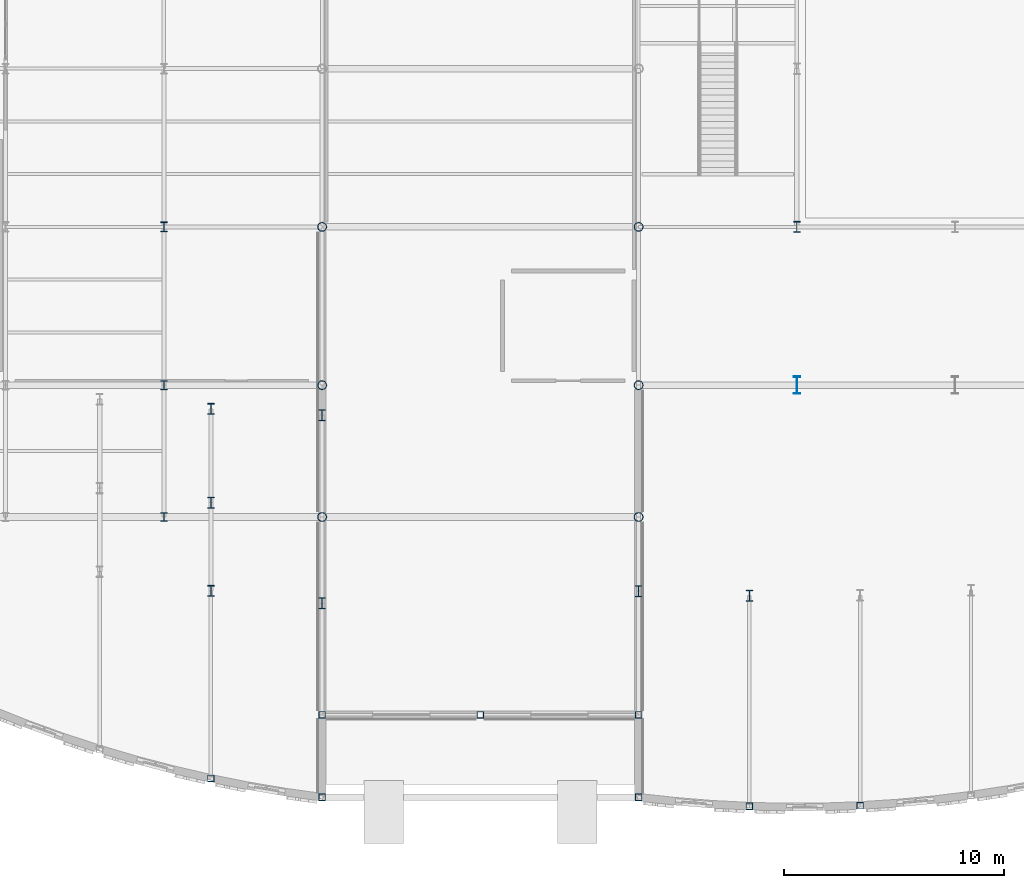
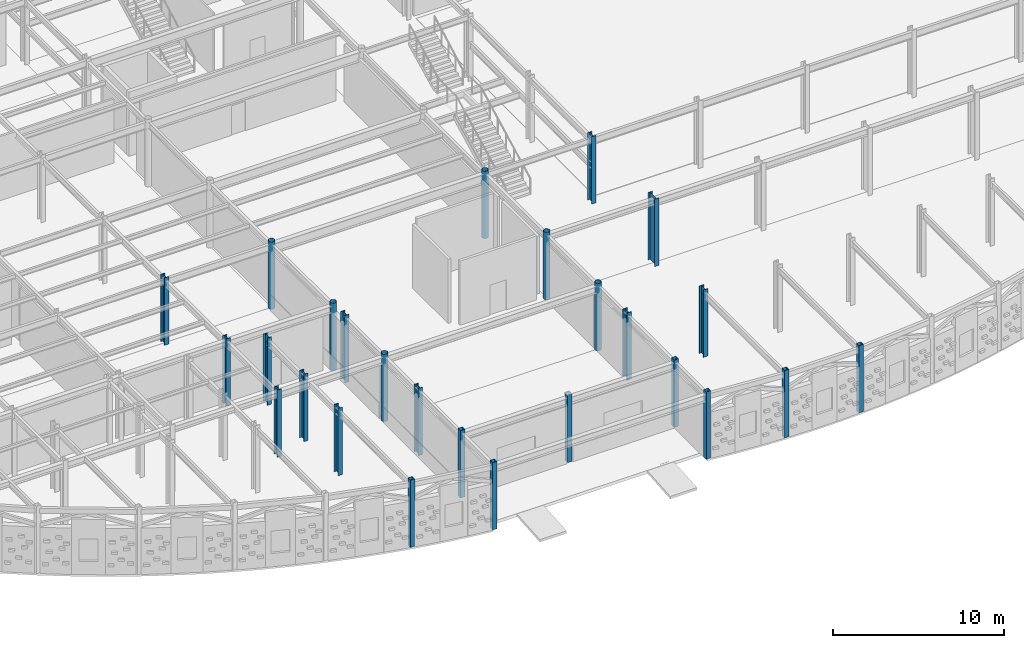
# One storey, part 4 of 83: 26 columns.
"""IFC4 building model written with IfcOpenShell, lengths in metres."""

import ifcopenshell
import ifcopenshell.guid

model = None  # the IFC model being written
_history = None  # IfcOwnerHistory: only IFC2X3 demands one
_inside = {}  # id of a spatial element -> (the spatial element, [elements in it])
_under = {}  # id of a project, library or spatial element -> (it, [spatial elements below it])
_declared = {}  # id of a project -> (the project, [libraries it declares])
_typed = {}  # id of a type object -> (the type object, [elements of that type])
_made_of = {}  # id of a material, layer set ... -> (it, [elements and type objects made of it])


def new_model(schema):
    """Start an empty IFC model of exactly this schema.

    Asked for "IFC4X3", IfcOpenShell would pick the latest addendum, in which some entities
    have other attributes; the version numbers below select the first issue.
    IFC2X3 requires an IfcOwnerHistory on every rooted entity: one is made here for all.
    """
    global model, _history
    if schema == "IFC4X3":
        model = ifcopenshell.file(schema_version=(4, 3, 0, 0))
    else:
        model = ifcopenshell.file(schema=schema)
    _inside.clear()
    _under.clear()
    _declared.clear()
    _typed.clear()
    _made_of.clear()
    _history = None
    if model.schema == "IFC2X3":
        org = make("IfcOrganization", Name="unknown")
        user = make(
            "IfcPersonAndOrganization",
            ThePerson=make("IfcPerson", FamilyName="unknown"),
            TheOrganization=org,
        )
        app = make(
            "IfcApplication",
            ApplicationDeveloper=org,
            Version="unknown",
            ApplicationFullName="unknown",
            ApplicationIdentifier="unknown",
        )
        _history = make(
            "IfcOwnerHistory",
            OwningUser=user,
            OwningApplication=app,
            ChangeAction="ADDED",
            CreationDate=0,
        )
    return model


def make(cls, **values):
    """One entity of the class cls with the attributes given. An attribute that is None is left unset."""
    return model.create_entity(
        cls, **{name: value for name, value in values.items() if value is not None}
    )


def rooted(cls, **values):
    """An entity with a GlobalId (a new one), such as an element, a storey or a relation."""
    return make(cls, GlobalId=ifcopenshell.guid.new(), OwnerHistory=_history, **values)


def si_unit(unit_type, name, prefix=None):
    """IfcSIUnit, for example si_unit("LENGTHUNIT", "METRE", prefix="MILLI")."""
    return make("IfcSIUnit", UnitType=unit_type, Prefix=prefix, Name=name)


def assignment(units):
    """IfcUnitAssignment: the units of a project."""
    return None if units is None else make("IfcUnitAssignment", Units=units)


def point(xyz):
    """IfcCartesianPoint."""
    return None if xyz is None else make("IfcCartesianPoint", Coordinates=xyz)


def direction(xyz):
    """IfcDirection."""
    return None if xyz is None else make("IfcDirection", DirectionRatios=xyz)


def frame(location, z_axis=None, x_axis=None):
    """IfcAxis2Placement3D, a coordinate frame: its origin and axes. An axis left out is left unset."""
    return make(
        "IfcAxis2Placement3D",
        Location=point(location),
        Axis=direction(z_axis),
        RefDirection=direction(x_axis),
    )


def frame_2d(location, x_axis=None):
    """IfcAxis2Placement2D, a coordinate frame in the plane: its origin and x axis."""
    return make(
        "IfcAxis2Placement2D", Location=point(location), RefDirection=direction(x_axis)
    )


def origin():
    """The frame at (0, 0, 0) with its axes left unset."""
    return frame((0.0, 0.0, 0.0))


def origin_2d():
    """The frame at (0, 0) in the plane with its x axis left unset."""
    return frame_2d((0.0, 0.0))


def place(relative_to, where):
    """IfcLocalPlacement: puts the frame where relative to a parent placement (None: the world)."""
    return make(
        "IfcLocalPlacement", PlacementRelTo=relative_to, RelativePlacement=where
    )


def context(
    kind, dimensions, precision=None, world=None, true_north=None, identifier=None
):
    """IfcGeometricRepresentationContext, for example the 3D "Model" context."""
    return make(
        "IfcGeometricRepresentationContext",
        ContextIdentifier=identifier,
        ContextType=kind,
        CoordinateSpaceDimension=dimensions,
        Precision=precision,
        WorldCoordinateSystem=world,
        TrueNorth=true_north,
    )


def subcontext(parent, identifier, kind, view, scale=None):
    """IfcGeometricRepresentationSubContext, for example "Body" below "Model"."""
    return make(
        "IfcGeometricRepresentationSubContext",
        ContextIdentifier=identifier,
        ContextType=kind,
        ParentContext=parent,
        TargetScale=scale,
        TargetView=view,
    )


def project(units=None, contexts=None):
    """IfcProject with its units and contexts."""
    return rooted(
        "IfcProject",
        Name="project",
        RepresentationContexts=contexts,
        UnitsInContext=assignment(units),
    )


def spatial(cls, under=None, at=None, **own):
    """A site, building, storey or space (cls), placed at a placement, below another one or the project."""
    s = rooted(cls, ObjectPlacement=at, **own)
    if under is not None:
        _under.setdefault(under.id(), (under, []))[1].append(s)
    return s


def profile(cls, at=None, kind="AREA", **sizes):
    """A parametric profile (cls). Its sizes go by their IFC names, for example OverallWidth=200.0."""
    return make(cls, ProfileType=kind, Position=at, **sizes)


def hollow_rectangle(**sizes):
    """IfcRectangleHollowProfileDef."""
    return profile("IfcRectangleHollowProfileDef", **sizes)


def hollow_circle(**sizes):
    """IfcCircleHollowProfileDef."""
    return profile("IfcCircleHollowProfileDef", **sizes)


def i_section(**sizes):
    """IfcIShapeProfileDef."""
    return profile("IfcIShapeProfileDef", **sizes)


def extrude(swept, where, along, depth):
    """IfcExtrudedAreaSolid: the profile swept, set in the frame where, extruded along a direction by depth."""
    return make(
        "IfcExtrudedAreaSolid",
        SweptArea=swept,
        Position=where,
        ExtrudedDirection=direction(along),
        Depth=depth,
    )


def shape(context_of_items, identifier, shape_type, items):
    """IfcShapeRepresentation: the items that make up one representation, for example the "Body"."""
    return make(
        "IfcShapeRepresentation",
        ContextOfItems=context_of_items,
        RepresentationIdentifier=identifier,
        RepresentationType=shape_type,
        Items=items,
    )


def material(Name=None, Category=None):
    """IfcMaterial."""
    return make("IfcMaterial", Name=Name, Category=Category)


def material_profile(
    of_material, cross_section, Name=None, Category=None, Priority=None
):
    """IfcMaterialProfile: a cross section and its material."""
    return make(
        "IfcMaterialProfile",
        Name=Name,
        Material=of_material,
        Profile=cross_section,
        Priority=Priority,
        Category=Category,
    )


def profile_set(profiles, Name=None, composite=None):
    """IfcMaterialProfileSet."""
    return make(
        "IfcMaterialProfileSet",
        Name=Name,
        MaterialProfiles=profiles,
        CompositeProfile=composite,
    )


def made_of(thing, what):
    """Note that an element or type object is made of a material, layer set ...; save() writes the relation."""
    if what is not None:
        _made_of.setdefault(what.id(), (what, []))[1].append(thing)
    return thing


def type_object(cls, material=None, **own):
    """A type object (cls), such as IfcWallType, which elements share."""
    return made_of(rooted(cls, **own), material)


def element(
    cls,
    number,
    at=None,
    inside=None,
    cuts=None,
    type_object=None,
    material=None,
    context=None,
    identifier="Body",
    shape_type=None,
    held_by="IfcProductDefinitionShape",
    body=None,
    shapes=None,
    **own,
):
    """One element of the class cls, such as IfcWall. Its Tag is "e" and its number.

    at: its placement. inside: the storey or other place that contains it. cuts: it is an
    opening in that element (IfcRelVoidsElement). A single representation is given by context,
    identifier, shape_type and body (its items); several are given by shapes. held_by: the class
    of the entity that holds the representations. save() writes the other relations.
    """
    e = rooted(cls, Tag="e%d" % number, ObjectPlacement=at, **own)
    if body is not None:
        shapes = [shape(context, identifier, shape_type, body)]
    if shapes is not None:
        e.Representation = make(held_by, Representations=shapes)
    if inside is not None:
        _inside.setdefault(inside.id(), (inside, []))[1].append(e)
    if cuts is not None:
        rooted(
            "IfcRelVoidsElement", RelatingBuildingElement=cuts, RelatedOpeningElement=e
        )
    if type_object is not None:
        _typed.setdefault(type_object.id(), (type_object, []))[1].append(e)
    return made_of(e, material)


def aggregate(whole, parts):
    """IfcRelAggregates: a whole, such as a stair, and the parts it consists of."""
    return rooted("IfcRelAggregates", RelatingObject=whole, RelatedObjects=parts)


def save(model, path):
    """Write the relations noted so far, then the file.

    IfcRelAggregates (storeys below a building ...), IfcRelContainedInSpatialStructure (elements
    in a storey), IfcRelDefinesByType, IfcRelAssociatesMaterial and IfcRelDeclares: one each for
    every whole, place, type object, material and project.
    """
    for whole, parts in _under.values():
        aggregate(whole, parts)
    for where, things in _inside.values():
        rooted(
            "IfcRelContainedInSpatialStructure",
            RelatedElements=things,
            RelatingStructure=where,
        )
    for kind, things in _typed.values():
        rooted("IfcRelDefinesByType", RelatedObjects=things, RelatingType=kind)
    for what, things in _made_of.values():
        rooted("IfcRelAssociatesMaterial", RelatedObjects=things, RelatingMaterial=what)
    for by, libraries in _declared.values():
        rooted("IfcRelDeclares", RelatingContext=by, RelatedDefinitions=libraries)
    model.write(path)


model = new_model("IFC4")

# Units and contexts
model_context = context("Model", 3, precision=1e-05, world=origin(), true_north=direction((0.0, 1.0)))
body_context = subcontext(model_context, "Body", "Model", "MODEL_VIEW")
ifc_project = project(units=[si_unit("LENGTHUNIT", "METRE"), si_unit("AREAUNIT", "SQUARE_METRE"), si_unit("VOLUMEUNIT", "CUBIC_METRE"), si_unit("PLANEANGLEUNIT", "RADIAN"), si_unit("MASSUNIT", "GRAM", prefix="KILO")], contexts=[model_context])

# Site, building, storey
site_placement = place(None, origin())
site = spatial("IfcSite", under=ifc_project, at=site_placement, CompositionType="ELEMENT")
building_placement = place(site_placement, origin())
building = spatial("IfcBuilding", under=site, at=building_placement, Name="Solvadek Multi-Sports Hall", CompositionType="ELEMENT")
storey_placement = place(building_placement, origin())
storey = spatial("IfcBuildingStorey", under=building, at=storey_placement, Name="L00", CompositionType="ELEMENT", Elevation=0.0)

# Columns
ifc_material = material(Name="Steel E350 (350 MPa)", Category="steel")
ifc_material_profile_1 = material_profile(ifc_material, hollow_circle(Radius=0.203125, WallThickness=0.01611328125, at=origin_2d()), Name="CHS 406.4x16")
ifc_profile_set_1 = profile_set([ifc_material_profile_1], Name="Steel E350 (350 MPa)")
column_type_1 = type_object("IfcColumnType", Name="STR-COL-CHS406", PredefinedType="COLUMN", material=ifc_profile_set_1)
for number, where, z_axis, x_axis, name in (
    (1, (72.0, 0.0, 0.0), (0.0, 0.0, 1.0), (1.0, 0.0, 0.0), "L00 Column C-11 #144"),
    (2, (72.0, 6.0, 0.0), (0.0, 0.0, 1.0), (1.0, 0.0, 0.0), "L00 Column C-11 #145"),
    (3, (72.0, 13.199951171875, 0.0), (0.0, 0.0, 1.0), (1.0, 0.0, 0.0), "L00 Column C-11 #146"),
    (4, (86.39990234375, 0.0, 0.0), (0.0, 0.0, 1.0), (1.0, 0.0, 0.0), "L00 Column C-11 #174"),
    (5, (86.39990234375, 6.0, 0.0), (0.0, 0.0, 1.0), (1.0, 0.0, 0.0), "L00 Column C-11 #175"),
    (6, (86.39990234375, 13.199951171875, 0.0), (0.0, 0.0, 1.0), (1.0, 0.0, 0.0), "L00 Column C-11 #176"),
):
    element("IfcColumn", number, at=place(storey_placement, frame(where, z_axis=z_axis, x_axis=x_axis)), inside=storey, type_object=column_type_1, Name=name, PredefinedType="COLUMN", context=body_context, shape_type="SweptSolid", body=[
        extrude(hollow_circle(Radius=0.203125, WallThickness=0.01611328125, at=origin_2d()), origin(), (0.0, 0.0, 1.0), 4.800048828125),
    ])
ifc_material_profile_2 = material_profile(ifc_material, hollow_rectangle(XDim=0.300048828125, YDim=0.300048828125, WallThickness=0.012451171875, at=origin_2d()), Name="SHS 300x300x12.5")
ifc_profile_set_2 = profile_set([ifc_material_profile_2], Name="Steel E350 (350 MPa)")
column_type_2 = type_object("IfcColumnType", Name="STR-COL-SHS300", PredefinedType="COLUMN", material=ifc_profile_set_2)
for number, where, z_axis, x_axis, name in (
    (7, (66.939453125, -11.893798828125, 0.0), (0.0, 0.0, 1.0), (1.0, 0.0, 0.0), "L00 Column C-10 #283"),
    (8, (72.0, -12.7529296875, 0.0), (0.0, 0.0, 1.0), (1.0, 0.0, 0.0), "L00 Column C-10 #287"),
    (9, (86.39990234375, -12.7529296875, 0.0), (0.0, 0.0, 1.0), (1.0, 0.0, 0.0), "L00 Column C-10 #290"),
    (10, (91.43994140625, -13.159912109375, 0.0), (0.0, 0.0, 1.0), (1.0, 0.0, 0.0), "L00 Column C-10 #292"),
    (11, (96.47998046875, -13.128662109375, 0.0), (0.0, 0.0, 1.0), (1.0, 0.0, 0.0), "L00 Column C-10 #294"),
    (12, (72.0, -9.0, 0.0), (0.0, 0.0, 1.0), (1.0, 0.0, 0.0), "L00 Column C-10 #309"),
    (13, (79.199951171875, -9.0, 0.0), (0.0, 0.0, 1.0), (1.0, 0.0, 0.0), "L00 Column C-10 #310"),
    (14, (86.39990234375, -9.0, 0.0), (0.0, 0.0, 1.0), (1.0, 0.0, 0.0), "L00 Column C-10 #311"),
):
    element("IfcColumn", number, at=place(storey_placement, frame(where, z_axis=z_axis, x_axis=x_axis)), inside=storey, type_object=column_type_2, Name=name, PredefinedType="COLUMN", context=body_context, shape_type="SweptSolid", body=[
        extrude(hollow_rectangle(XDim=0.300048828125, YDim=0.300048828125, WallThickness=0.012451171875, at=origin_2d()), origin(), (0.0, 0.0, 1.0), 4.800048828125),
    ])
ifc_material_profile_3 = material_profile(ifc_material, i_section(OverallWidth=0.300048828125, OverallDepth=0.39990234375, WebThickness=0.013427734375, FlangeThickness=0.02392578125, at=origin_2d()), Name="WPB 400")
ifc_profile_set_3 = profile_set([ifc_material_profile_3], Name="Steel E350 (350 MPa)")
column_type_3 = type_object("IfcColumnType", Name="STR-COL-WPB400", PredefinedType="COLUMN", material=ifc_profile_set_3)
for number, where, z_axis, x_axis, name in (
    (15, (64.800048828125, 0.0, 0.0), (0.0, 0.0, 1.0), (1.0, 0.0, 0.0), "L00 Column C-07 #129"),
    (16, (64.800048828125, 6.0, 0.0), (0.0, 0.0, 1.0), (1.0, 0.0, 0.0), "L00 Column C-07 #130"),
):
    element("IfcColumn", number, at=place(storey_placement, frame(where, z_axis=z_axis, x_axis=x_axis)), inside=storey, type_object=column_type_3, Name=name, PredefinedType="COLUMN", context=body_context, shape_type="SweptSolid", body=[
        extrude(i_section(OverallWidth=0.300048828125, OverallDepth=0.39990234375, WebThickness=0.013427734375, FlangeThickness=0.02392578125, at=origin_2d()), origin(), (0.0, 0.0, 1.0), 4.800048828125),
    ])
ifc_material_profile_4 = material_profile(ifc_material, i_section(OverallWidth=0.300048828125, OverallDepth=0.449951171875, WebThickness=0.013916015625, FlangeThickness=0.02587890625, at=origin_2d()), Name="WPB 450")
ifc_profile_set_4 = profile_set([ifc_material_profile_4], Name="Steel E350 (350 MPa)")
column_type_4 = type_object("IfcColumnType", Name="STR-COL-WPB450", PredefinedType="COLUMN", material=ifc_profile_set_4)
column_1_placement = place(storey_placement, frame((64.800048828125, 13.199951171875, 0.0), z_axis=(0.0, 0.0, 1.0), x_axis=(1.0, 0.0, 0.0)))
element("IfcColumn", 17, at=column_1_placement, inside=storey, type_object=column_type_4, Name="L00 Column C-06 #131", PredefinedType="COLUMN", context=body_context, shape_type="SweptSolid", body=[
    extrude(i_section(OverallWidth=0.300048828125, OverallDepth=0.449951171875, WebThickness=0.013916015625, FlangeThickness=0.02587890625, at=origin_2d()), origin(), (0.0, 0.0, 1.0), 4.800048828125),
])
ifc_material_profile_5 = material_profile(ifc_material, i_section(OverallWidth=0.300048828125, OverallDepth=0.5, WebThickness=0.014404296875, FlangeThickness=0.028076171875, at=origin_2d()), Name="WPB 500")
ifc_profile_set_5 = profile_set([ifc_material_profile_5], Name="Steel E350 (350 MPa)")
column_type_5 = type_object("IfcColumnType", Name="STR-COL-WPB500", PredefinedType="COLUMN", material=ifc_profile_set_5)
for number, where, z_axis, x_axis, name in (
    (18, (93.60009765625, 13.199951171875, 0.0), (0.0, 0.0, 1.0), (1.0, 0.0, 0.0), "L00 Column C-05 #191"),
    (19, (66.939453125, 0.653076171875, 0.0), (0.0, 0.0, 1.0), (1.0, 0.0, 0.0), "L00 Column C-05 #284"),
    (20, (66.939453125, -3.362060546875, 0.0), (0.0, 0.0, 1.0), (1.0, 0.0, 0.0), "L00 Column C-05 #285"),
    (21, (66.939453125, 4.9189453125, 0.0), (0.0, 0.0, 1.0), (1.0, 0.0, 0.0), "L00 Column C-05 #286"),
    (22, (72.0, -3.928955078125, 0.0), (0.0, 0.0, 1.0), (1.0, 0.0, 0.0), "L00 Column C-05 #288"),
    (23, (72.0, 4.635498046875, 0.0), (0.0, 0.0, 1.0), (1.0, 0.0, 0.0), "L00 Column C-05 #289"),
    (24, (86.39990234375, -3.37646484375, 0.0), (0.0, 0.0, 1.0), (1.0, 0.0, 0.0), "L00 Column C-05 #291"),
    (25, (91.43994140625, -3.580078125, 0.0), (0.0, 0.0, 1.0), (1.0, 0.0, 0.0), "L00 Column C-05 #293"),
):
    element("IfcColumn", number, at=place(storey_placement, frame(where, z_axis=z_axis, x_axis=x_axis)), inside=storey, type_object=column_type_5, Name=name, PredefinedType="COLUMN", context=body_context, shape_type="SweptSolid", body=[
        extrude(i_section(OverallWidth=0.300048828125, OverallDepth=0.5, WebThickness=0.014404296875, FlangeThickness=0.028076171875, at=origin_2d()), origin(), (0.0, 0.0, 1.0), 4.800048828125),
    ])
ifc_material_profile_6 = material_profile(ifc_material, i_section(OverallWidth=0.300048828125, OverallDepth=0.800048828125, WebThickness=0.017578125, FlangeThickness=0.032958984375, at=origin_2d()), Name="WPB 800")
ifc_profile_set_6 = profile_set([ifc_material_profile_6], Name="Steel E350 (350 MPa)")
column_type_6 = type_object("IfcColumnType", Name="STR-COL-WPB800", PredefinedType="COLUMN", material=ifc_profile_set_6)
column_2_placement = place(storey_placement, frame((93.60009765625, 6.0, 0.0), z_axis=(0.0, 0.0, 1.0), x_axis=(1.0, 0.0, 0.0)))
element("IfcColumn", 26, at=column_2_placement, inside=storey, type_object=column_type_6, Name="L00 Column C-01 #190", PredefinedType="COLUMN", context=body_context, shape_type="SweptSolid", body=[
    extrude(i_section(OverallWidth=0.300048828125, OverallDepth=0.800048828125, WebThickness=0.017578125, FlangeThickness=0.032958984375, at=origin_2d()), origin(), (0.0, 0.0, 1.0), 4.800048828125),
])

save(model, "model.ifc")
